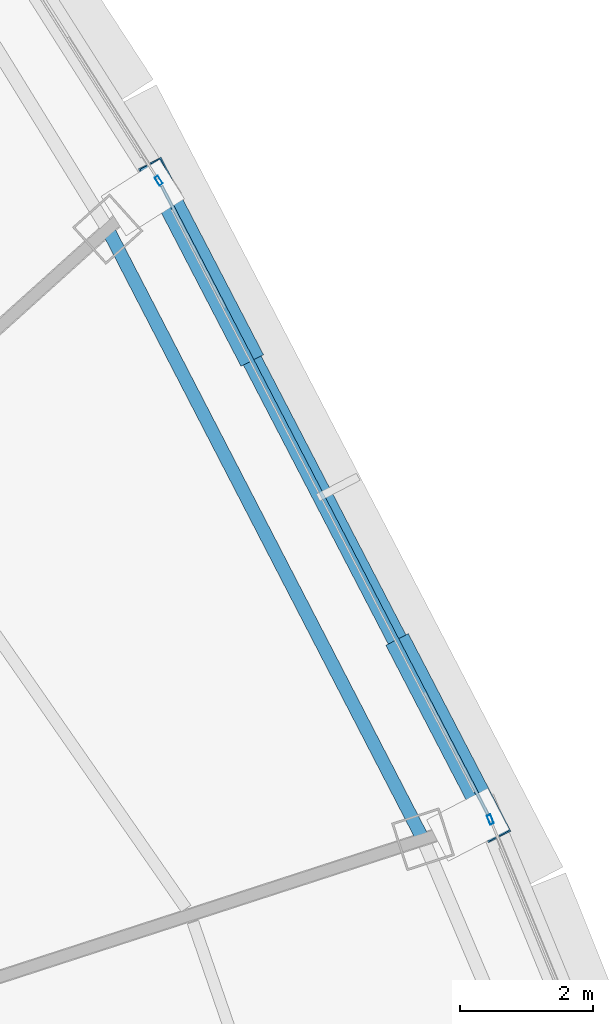
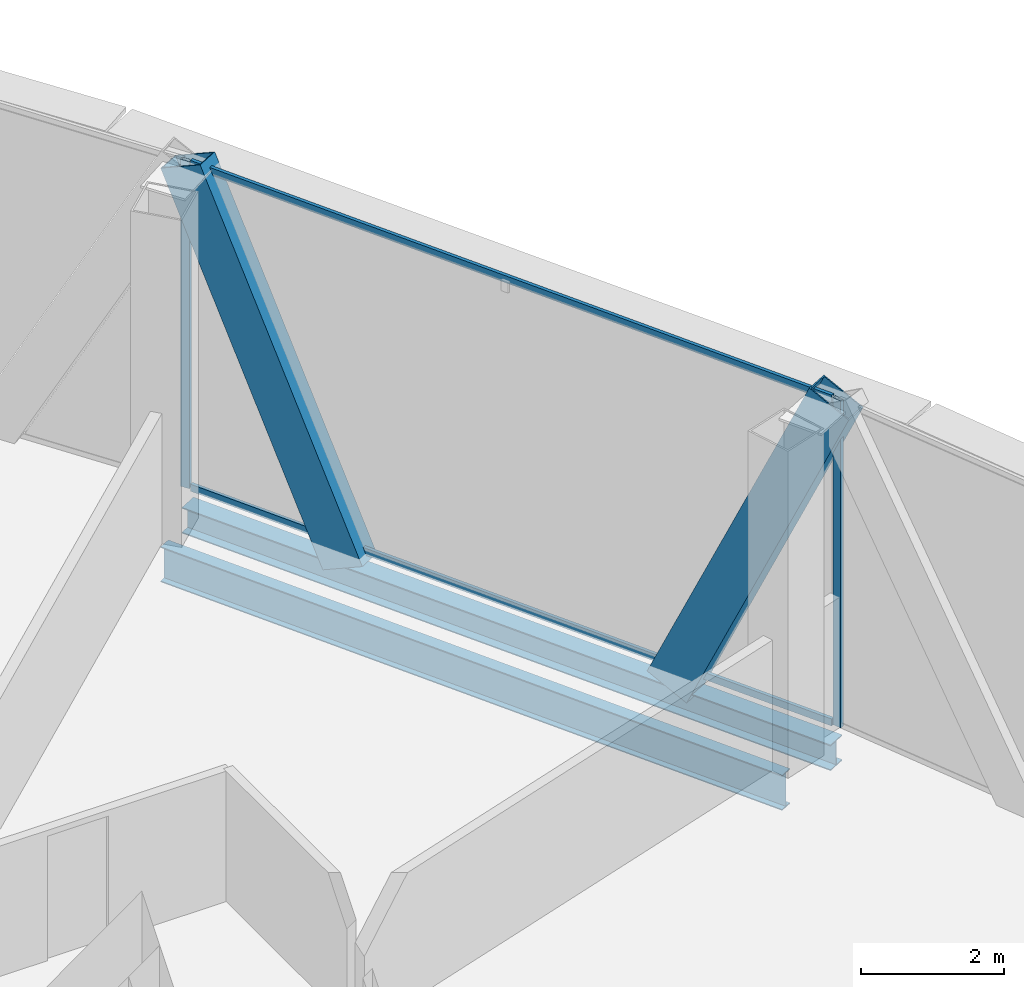
# One storey, part 18 of 33: 6 members, 2 beams, 3 elements without a shape of their own.
"""IFC4 building model written with IfcOpenShell, lengths in metres."""

import ifcopenshell
import ifcopenshell.guid

model = None  # the IFC model being written
_history = None  # IfcOwnerHistory: only IFC2X3 demands one
_inside = {}  # id of a spatial element -> (the spatial element, [elements in it])
_under = {}  # id of a project, library or spatial element -> (it, [spatial elements below it])
_declared = {}  # id of a project -> (the project, [libraries it declares])
_typed = {}  # id of a type object -> (the type object, [elements of that type])
_made_of = {}  # id of a material, layer set ... -> (it, [elements and type objects made of it])


def new_model(schema):
    """Start an empty IFC model of exactly this schema.

    Asked for "IFC4X3", IfcOpenShell would pick the latest addendum, in which some entities
    have other attributes; the version numbers below select the first issue.
    IFC2X3 requires an IfcOwnerHistory on every rooted entity: one is made here for all.
    """
    global model, _history
    if schema == "IFC4X3":
        model = ifcopenshell.file(schema_version=(4, 3, 0, 0))
    else:
        model = ifcopenshell.file(schema=schema)
    _inside.clear()
    _under.clear()
    _declared.clear()
    _typed.clear()
    _made_of.clear()
    _history = None
    if model.schema == "IFC2X3":
        org = make("IfcOrganization", Name="unknown")
        user = make(
            "IfcPersonAndOrganization",
            ThePerson=make("IfcPerson", FamilyName="unknown"),
            TheOrganization=org,
        )
        app = make(
            "IfcApplication",
            ApplicationDeveloper=org,
            Version="unknown",
            ApplicationFullName="unknown",
            ApplicationIdentifier="unknown",
        )
        _history = make(
            "IfcOwnerHistory",
            OwningUser=user,
            OwningApplication=app,
            ChangeAction="ADDED",
            CreationDate=0,
        )
    return model


def make(cls, **values):
    """One entity of the class cls with the attributes given. An attribute that is None is left unset."""
    return model.create_entity(
        cls, **{name: value for name, value in values.items() if value is not None}
    )


def rooted(cls, **values):
    """An entity with a GlobalId (a new one), such as an element, a storey or a relation."""
    return make(cls, GlobalId=ifcopenshell.guid.new(), OwnerHistory=_history, **values)


def si_unit(unit_type, name, prefix=None):
    """IfcSIUnit, for example si_unit("LENGTHUNIT", "METRE", prefix="MILLI")."""
    return make("IfcSIUnit", UnitType=unit_type, Prefix=prefix, Name=name)


def assignment(units):
    """IfcUnitAssignment: the units of a project."""
    return None if units is None else make("IfcUnitAssignment", Units=units)


def point(xyz):
    """IfcCartesianPoint."""
    return None if xyz is None else make("IfcCartesianPoint", Coordinates=xyz)


def direction(xyz):
    """IfcDirection."""
    return None if xyz is None else make("IfcDirection", DirectionRatios=xyz)


def frame(location, z_axis=None, x_axis=None):
    """IfcAxis2Placement3D, a coordinate frame: its origin and axes. An axis left out is left unset."""
    return make(
        "IfcAxis2Placement3D",
        Location=point(location),
        Axis=direction(z_axis),
        RefDirection=direction(x_axis),
    )


def frame_2d(location, x_axis=None):
    """IfcAxis2Placement2D, a coordinate frame in the plane: its origin and x axis."""
    return make(
        "IfcAxis2Placement2D", Location=point(location), RefDirection=direction(x_axis)
    )


def origin():
    """The frame at (0, 0, 0) with its axes left unset."""
    return frame((0.0, 0.0, 0.0))


def origin_2d():
    """The frame at (0, 0) in the plane with its x axis left unset."""
    return frame_2d((0.0, 0.0))


def place(relative_to, where):
    """IfcLocalPlacement: puts the frame where relative to a parent placement (None: the world)."""
    return make(
        "IfcLocalPlacement", PlacementRelTo=relative_to, RelativePlacement=where
    )


def context(
    kind, dimensions, precision=None, world=None, true_north=None, identifier=None
):
    """IfcGeometricRepresentationContext, for example the 3D "Model" context."""
    return make(
        "IfcGeometricRepresentationContext",
        ContextIdentifier=identifier,
        ContextType=kind,
        CoordinateSpaceDimension=dimensions,
        Precision=precision,
        WorldCoordinateSystem=world,
        TrueNorth=true_north,
    )


def subcontext(parent, identifier, kind, view, scale=None):
    """IfcGeometricRepresentationSubContext, for example "Body" below "Model"."""
    return make(
        "IfcGeometricRepresentationSubContext",
        ContextIdentifier=identifier,
        ContextType=kind,
        ParentContext=parent,
        TargetScale=scale,
        TargetView=view,
    )


def project(units=None, contexts=None):
    """IfcProject with its units and contexts."""
    return rooted(
        "IfcProject",
        Name="project",
        RepresentationContexts=contexts,
        UnitsInContext=assignment(units),
    )


def spatial(cls, under=None, at=None, **own):
    """A site, building, storey or space (cls), placed at a placement, below another one or the project."""
    s = rooted(cls, ObjectPlacement=at, **own)
    if under is not None:
        _under.setdefault(under.id(), (under, []))[1].append(s)
    return s


def profile(cls, at=None, kind="AREA", **sizes):
    """A parametric profile (cls). Its sizes go by their IFC names, for example OverallWidth=200.0."""
    return make(cls, ProfileType=kind, Position=at, **sizes)


def hollow_rectangle(**sizes):
    """IfcRectangleHollowProfileDef."""
    return profile("IfcRectangleHollowProfileDef", **sizes)


def i_section(**sizes):
    """IfcIShapeProfileDef."""
    return profile("IfcIShapeProfileDef", **sizes)


def extrude(swept, where, along, depth):
    """IfcExtrudedAreaSolid: the profile swept, set in the frame where, extruded along a direction by depth."""
    return make(
        "IfcExtrudedAreaSolid",
        SweptArea=swept,
        Position=where,
        ExtrudedDirection=direction(along),
        Depth=depth,
    )


def shape(context_of_items, identifier, shape_type, items):
    """IfcShapeRepresentation: the items that make up one representation, for example the "Body"."""
    return make(
        "IfcShapeRepresentation",
        ContextOfItems=context_of_items,
        RepresentationIdentifier=identifier,
        RepresentationType=shape_type,
        Items=items,
    )


def source(mapping_origin, context_of_items, identifier, shape_type, items):
    """IfcRepresentationMap: a shape defined once, which mapped items show again and again."""
    return make(
        "IfcRepresentationMap",
        MappingOrigin=mapping_origin,
        MappedRepresentation=shape(context_of_items, identifier, shape_type, items),
    )


def transform(
    local_origin,
    x_axis=None,
    y_axis=None,
    z_axis=None,
    scale=None,
    scale2=None,
    scale3=None,
    uniform=True,
):
    """IfcCartesianTransformationOperator3D, or its non-uniform kind. x_axis, y_axis, z_axis: its Axis1, 2, 3."""
    if uniform:
        return make(
            "IfcCartesianTransformationOperator3D",
            Axis1=direction(x_axis),
            Axis2=direction(y_axis),
            LocalOrigin=point(local_origin),
            Scale=scale,
            Axis3=direction(z_axis),
        )
    return make(
        "IfcCartesianTransformationOperator3DnonUniform",
        Axis1=direction(x_axis),
        Axis2=direction(y_axis),
        LocalOrigin=point(local_origin),
        Scale=scale,
        Axis3=direction(z_axis),
        Scale2=scale2,
        Scale3=scale3,
    )


def mapped(mapping_source, mapping_target):
    """IfcMappedItem: shows the shape of a source again, moved by a transform."""
    return make(
        "IfcMappedItem", MappingSource=mapping_source, MappingTarget=mapping_target
    )


def material(Name=None, Category=None):
    """IfcMaterial."""
    return make("IfcMaterial", Name=Name, Category=Category)


def layer(
    of_material, thickness, ventilated=None, Name=None, Category=None, Priority=None
):
    """IfcMaterialLayer: one layer of a wall or slab, of a material (None: an air gap)."""
    return make(
        "IfcMaterialLayer",
        Material=of_material,
        LayerThickness=thickness,
        IsVentilated=ventilated,
        Name=Name,
        Category=Category,
        Priority=Priority,
    )


def layer_set(layers, Name=None):
    """IfcMaterialLayerSet."""
    return make("IfcMaterialLayerSet", MaterialLayers=layers, LayerSetName=Name)


def material_profile(
    of_material, cross_section, Name=None, Category=None, Priority=None
):
    """IfcMaterialProfile: a cross section and its material."""
    return make(
        "IfcMaterialProfile",
        Name=Name,
        Material=of_material,
        Profile=cross_section,
        Priority=Priority,
        Category=Category,
    )


def profile_set(profiles, Name=None, composite=None):
    """IfcMaterialProfileSet."""
    return make(
        "IfcMaterialProfileSet",
        Name=Name,
        MaterialProfiles=profiles,
        CompositeProfile=composite,
    )


def made_of(thing, what):
    """Note that an element or type object is made of a material, layer set ...; save() writes the relation."""
    if what is not None:
        _made_of.setdefault(what.id(), (what, []))[1].append(thing)
    return thing


def type_object(cls, material=None, **own):
    """A type object (cls), such as IfcWallType, which elements share."""
    return made_of(rooted(cls, **own), material)


def element(
    cls,
    number,
    at=None,
    inside=None,
    cuts=None,
    type_object=None,
    material=None,
    context=None,
    identifier="Body",
    shape_type=None,
    held_by="IfcProductDefinitionShape",
    body=None,
    shapes=None,
    **own,
):
    """One element of the class cls, such as IfcWall. Its Tag is "e" and its number.

    at: its placement. inside: the storey or other place that contains it. cuts: it is an
    opening in that element (IfcRelVoidsElement). A single representation is given by context,
    identifier, shape_type and body (its items); several are given by shapes. held_by: the class
    of the entity that holds the representations. save() writes the other relations.
    """
    e = rooted(cls, Tag="e%d" % number, ObjectPlacement=at, **own)
    if body is not None:
        shapes = [shape(context, identifier, shape_type, body)]
    if shapes is not None:
        e.Representation = make(held_by, Representations=shapes)
    if inside is not None:
        _inside.setdefault(inside.id(), (inside, []))[1].append(e)
    if cuts is not None:
        rooted(
            "IfcRelVoidsElement", RelatingBuildingElement=cuts, RelatedOpeningElement=e
        )
    if type_object is not None:
        _typed.setdefault(type_object.id(), (type_object, []))[1].append(e)
    return made_of(e, material)


def aggregate(whole, parts):
    """IfcRelAggregates: a whole, such as a stair, and the parts it consists of."""
    return rooted("IfcRelAggregates", RelatingObject=whole, RelatedObjects=parts)


def save(model, path):
    """Write the relations noted so far, then the file.

    IfcRelAggregates (storeys below a building ...), IfcRelContainedInSpatialStructure (elements
    in a storey), IfcRelDefinesByType, IfcRelAssociatesMaterial and IfcRelDeclares: one each for
    every whole, place, type object, material and project.
    """
    for whole, parts in _under.values():
        aggregate(whole, parts)
    for where, things in _inside.values():
        rooted(
            "IfcRelContainedInSpatialStructure",
            RelatedElements=things,
            RelatingStructure=where,
        )
    for kind, things in _typed.values():
        rooted("IfcRelDefinesByType", RelatedObjects=things, RelatingType=kind)
    for what, things in _made_of.values():
        rooted("IfcRelAssociatesMaterial", RelatedObjects=things, RelatingMaterial=what)
    for by, libraries in _declared.values():
        rooted("IfcRelDeclares", RelatingContext=by, RelatedDefinitions=libraries)
    model.write(path)


model = new_model("IFC4")

# Units and contexts
model_context = context("Model", 3, precision=1e-05, world=origin(), true_north=direction((0.0, 1.0)))
body_context = subcontext(model_context, "Body", "Model", "MODEL_VIEW")
ifc_project = project(units=[si_unit("LENGTHUNIT", "METRE"), si_unit("AREAUNIT", "SQUARE_METRE"), si_unit("VOLUMEUNIT", "CUBIC_METRE"), si_unit("PLANEANGLEUNIT", "RADIAN"), si_unit("MASSUNIT", "GRAM", prefix="KILO"), si_unit("THERMODYNAMICTEMPERATUREUNIT", "KELVIN"), si_unit("POWERUNIT", "WATT")], contexts=[model_context])

# Site, building, storey
site_placement = place(None, origin())
site = spatial("IfcSite", under=ifc_project, at=site_placement, CompositionType="ELEMENT")
building_placement = place(site_placement, origin())
building = spatial("IfcBuilding", under=site, at=building_placement, Name="Yunzhuo Pagoda Commons", CompositionType="ELEMENT")
storey_placement = place(building_placement, frame((0.0, 0.0, 314.860107421875)))
storey = spatial("IfcBuildingStorey", under=building, at=storey_placement, Name="L79", CompositionType="ELEMENT", Elevation=314.860107421875)

# Beams
ifc_material_1 = material(Name="Structural steel Q355B", Category="steel")
ifc_material_profile_1 = material_profile(ifc_material_1, i_section(OverallWidth=0.199951171875, OverallDepth=0.60009765625, WebThickness=0.010986328125, FlangeThickness=0.01708984375, at=origin_2d()), Name="Structural steel Q355B")
ifc_profile_set_1 = profile_set([ifc_material_profile_1], Name="Structural steel Q355B")
beam_type_1 = type_object("IfcBeamType", Name="B-RG3 Beam HN 600x200x11x17", PredefinedType="BEAM", material=ifc_profile_set_1)
shared_shape_1 = source(origin(), body_context, "Body", "SweptSolid", [
    extrude(i_section(OverallWidth=0.199951171875, OverallDepth=0.60009765625, WebThickness=0.010986328125, FlangeThickness=0.01708984375, at=origin_2d()), origin(), (0.0, 0.0, 1.0), 10.3017578125),
])
beam_1_placement = place(storey_placement, frame((71.302490234375, 41.271484375, -0.56005859375), z_axis=(-0.459070867827, 0.888399650108, 0.0), x_axis=(-0.888399650108, -0.459070867827, 0.0)))
element("IfcBeam", 1, at=beam_1_placement, inside=storey, type_object=beam_type_1, Name="L79 column-ring beam 6", PredefinedType="BEAM", context=body_context, shape_type="MappedRepresentation", body=[
    mapped(shared_shape_1, transform((0.0, 0.0, 0.0), scale=1.0)),
])
ifc_material_profile_2 = material_profile(ifc_material_1, i_section(OverallWidth=0.300048828125, OverallDepth=0.43994140625, WebThickness=0.010986328125, FlangeThickness=0.01806640625, at=origin_2d()), Name="Structural steel Q355B")
ifc_profile_set_2 = profile_set([ifc_material_profile_2], Name="Structural steel Q355B")
beam_type_2 = type_object("IfcBeamType", Name="B-SP2 Beam HM 440x300x11x18", PredefinedType="BEAM", material=ifc_profile_set_2)
shared_shape_2 = source(origin(), body_context, "Body", "SweptSolid", [
    extrude(i_section(OverallWidth=0.300048828125, OverallDepth=0.43994140625, WebThickness=0.010986328125, FlangeThickness=0.01806640625, at=origin_2d()), origin(), (0.0, 0.0, 1.0), 10.73779296875),
])
beam_2_placement = place(storey_placement, frame((72.301025390625, 41.595947265625, -0.480224609375), z_axis=(-0.460758444606, 0.887525580321, 0.0), x_axis=(-0.887525580321, -0.460758444606, 0.0)))
element("IfcBeam", 2, at=beam_2_placement, inside=storey, type_object=beam_type_2, Name="L79 facade edge spandrel beam F2.2", PredefinedType="BEAM", context=body_context, shape_type="MappedRepresentation", body=[
    mapped(shared_shape_2, transform((0.0, 0.0, 0.0), scale=1.0)),
])

# Members
ifc_material_profile_3 = material_profile(ifc_material_1, hollow_rectangle(XDim=0.3798828125, YDim=0.719970703125, WallThickness=0.02001953125, at=origin_2d()), Name="Structural steel Q355B")
ifc_profile_set_3 = profile_set([ifc_material_profile_3], Name="Structural steel Q355B")
member_type_1 = type_object("IfcMemberType", Name="M-DL3 Brace BOX 720x380x20", PredefinedType="BRACE", material=ifc_profile_set_3)
shared_shape_3 = source(origin(), body_context, "Body", "SweptSolid", [
    extrude(hollow_rectangle(XDim=0.3798828125, YDim=0.719970703125, WallThickness=0.02001953125, at=origin_2d()), origin(), (0.0, 0.0, 1.0), 6.418212890625),
])
for number, where, z_axis, x_axis, name in (
    (3, (71.064208984375, 43.978515625, -0.260009765625), (0.192704513442, -0.371220557972, 0.908328281976), (0.887539704537, 0.460731237133, 0.0), "L79 facade diamond brace F2.2L"),
    (4, (68.590576171875, 48.743408203125, -0.260009765625), (-0.192741139259, 0.371217836595, 0.908321623122), (-0.887502513911, -0.460802873039, 0.0), "L79 facade diamond brace F2.2R"),
):
    element("IfcMember", number, at=place(storey_placement, frame(where, z_axis=z_axis, x_axis=x_axis)), inside=storey, type_object=member_type_1, Name=name, PredefinedType="BRACE", context=body_context, shape_type="MappedRepresentation", body=[
        mapped(shared_shape_3, transform((0.0, 0.0, 0.0), scale=1.0)),
    ])

# Curtain wall, members
ifc_material_2 = material(Name="Anodized aluminium 6063-T6", Category="aluminium")
ifc_layer = layer(ifc_material_2, 0.139892578125)
ifc_layer_set = layer_set([ifc_layer], Name="Anodized aluminium 6063-T6")
curtain_wall_type = type_object("IfcCurtainWallType", Name="CW-HI High-Zone Ribbon Curtain Wall", PredefinedType="NOTDEFINED", material=ifc_layer_set)
curtain_wall_1_placement = place(storey_placement, origin())
curtain_wall_1 = element("IfcCurtainWall", 5, at=curtain_wall_1_placement, inside=storey, type_object=curtain_wall_type, Name="L79 curtain wall CW-L79-F2B3", PredefinedType="NOTDEFINED")
ifc_material_profile_4 = material_profile(ifc_material_2, hollow_rectangle(XDim=0.054931640625, YDim=0.1201171875, WallThickness=0.00341796875, at=origin_2d()), Name="Anodized aluminium 6063-T6")
ifc_profile_set_4 = profile_set([ifc_material_profile_4], Name="Anodized aluminium 6063-T6")
member_type_2 = type_object("IfcMemberType", Name="CW-HI-T Transom RHS 120x55x3.5", PredefinedType="USERDEFINED", material=ifc_profile_set_4)
shared_shape_4 = source(origin(), body_context, "Body", "SweptSolid", [
    extrude(hollow_rectangle(XDim=0.054931640625, YDim=0.1201171875, WallThickness=0.00341796875, at=origin_2d()), origin(), (0.0, 0.0, 1.0), 10.617919921875),
])
member_1_placement = place(storey_placement, frame((72.273681640625, 41.649169921875, 0.02734375), z_axis=(-0.46076476881, 0.887522297085, 0.0), x_axis=(-0.887522297085, -0.46076476881, 0.0)))
member_1 = element("IfcMember", 6, at=member_1_placement, type_object=member_type_2, Name="CW transom 1.1", ObjectType="TRANSOM", PredefinedType="USERDEFINED", context=body_context, shape_type="MappedRepresentation", body=[
    mapped(shared_shape_4, transform((0.0, 0.0, 0.0), scale=1.0)),
])
member_2_placement = place(storey_placement, frame((72.273681640625, 41.649169921875, 5.54248046875), z_axis=(-0.46076476881, 0.887522297085, 0.0), x_axis=(-0.887522297085, -0.46076476881, 0.0)))
member_2 = element("IfcMember", 7, at=member_2_placement, type_object=member_type_2, Name="CW transom 1.2", ObjectType="TRANSOM", PredefinedType="USERDEFINED", context=body_context, shape_type="MappedRepresentation", body=[
    mapped(shared_shape_4, transform((0.0, 0.0, 0.0), scale=1.0)),
])
aggregate(curtain_wall_1, [member_1, member_2])

# Curtain wall, member
curtain_wall_2_placement = place(storey_placement, origin())
curtain_wall_2 = element("IfcCurtainWall", 8, at=curtain_wall_2_placement, inside=storey, type_object=curtain_wall_type, Name="L79 curtain wall CW-L79-F2B2", PredefinedType="NOTDEFINED")
ifc_material_profile_5 = material_profile(ifc_material_2, hollow_rectangle(XDim=0.06005859375, YDim=0.139892578125, WallThickness=0.00341796875, at=origin_2d()), Name="Anodized aluminium 6063-T6")
ifc_profile_set_5 = profile_set([ifc_material_profile_5], Name="Anodized aluminium 6063-T6")
member_type_3 = type_object("IfcMemberType", Name="CW-HI-M Mullion RHS 140x60x3.5", PredefinedType="MULLION", material=ifc_profile_set_5)
shared_shape_5 = source(origin(), body_context, "Body", "SweptSolid", [
    extrude(hollow_rectangle(XDim=0.06005859375, YDim=0.139892578125, WallThickness=0.00341796875, at=origin_2d()), origin(), (0.0, 0.0, 1.0), 5.56982421875),
])
member_3_placement = place(storey_placement, frame((72.3125, 41.568115234375, 0.0), z_axis=(0.0, 0.0, 1.0), x_axis=(-0.924975207531, -0.380027453552, 0.0)))
member_3 = element("IfcMember", 9, at=member_3_placement, type_object=member_type_3, Name="CW mullion 2", PredefinedType="MULLION", context=body_context, shape_type="MappedRepresentation", body=[
    mapped(shared_shape_5, transform((0.0, 0.0, 0.0), scale=1.0)),
])
aggregate(curtain_wall_2, [member_3])

curtain_wall_3_placement = place(storey_placement, origin())
curtain_wall_3 = element("IfcCurtainWall", 10, at=curtain_wall_3_placement, inside=storey, type_object=curtain_wall_type, Name="L79 curtain wall CW-L79-F2B4", PredefinedType="NOTDEFINED")
member_4_placement = place(storey_placement, frame((67.337890625, 51.1513671875, 0.0), z_axis=(0.0, 0.0, 1.0), x_axis=(-0.844512740935, -0.535535461383, 0.0)))
member_4 = element("IfcMember", 11, at=member_4_placement, type_object=member_type_3, Name="CW mullion 1", PredefinedType="MULLION", context=body_context, shape_type="MappedRepresentation", body=[
    mapped(shared_shape_5, transform((0.0, 0.0, 0.0), scale=1.0)),
])
aggregate(curtain_wall_3, [member_4])

save(model, "model.ifc")
